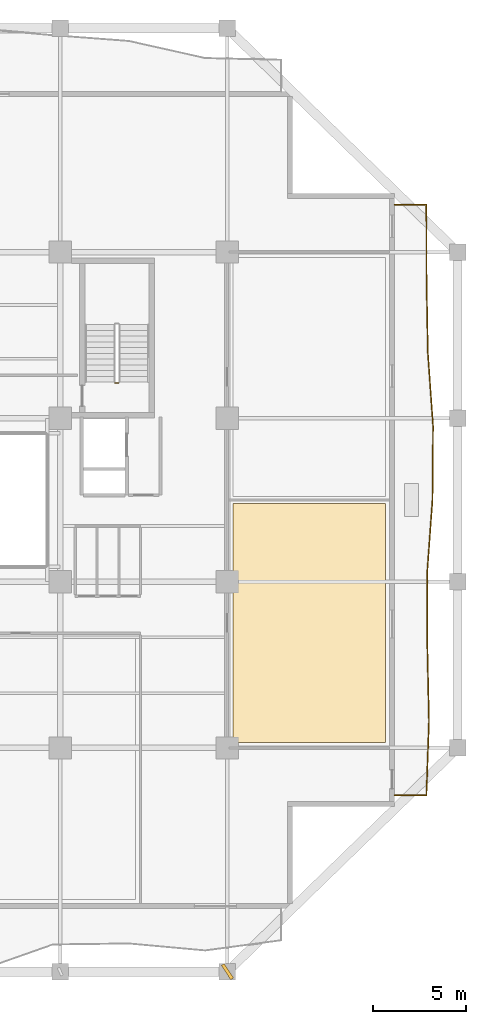
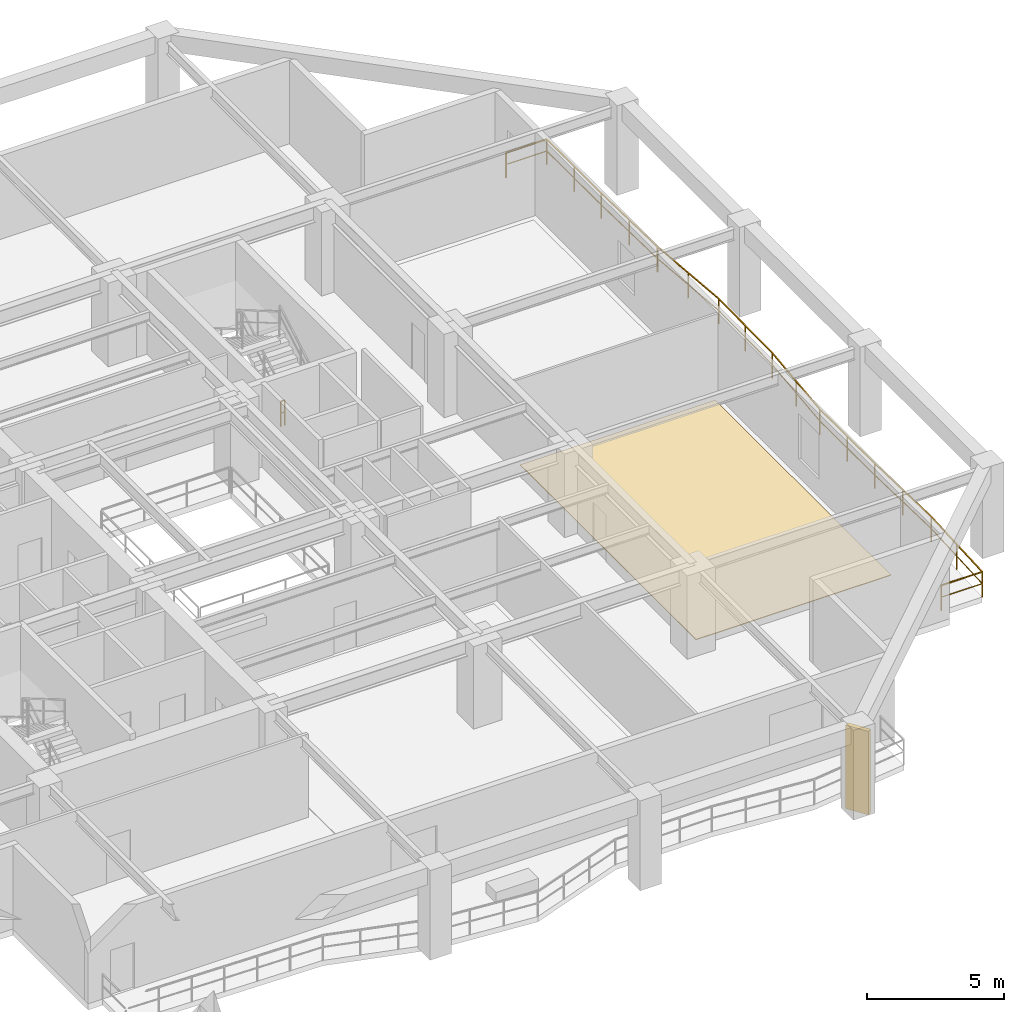
# One storey, part 9 of 13: 2 railings, 1 covering, 1 shading device.
"""IFC4 building model written with IfcOpenShell, lengths in metres."""

from ifc_helpers import new_model, si_unit, direction, frame, origin, origin_2d, place, context, subcontext, project, spatial, polyline, rectangle, outline, extrude, material, layer, layer_set, type_object, element, save


model = new_model("IFC4")

# Units and contexts
model_context = context("Model", 3, precision=1e-05, world=origin(), true_north=direction((0.0, 1.0)))
body_context = subcontext(model_context, "Body", "Model", "MODEL_VIEW")
ifc_project = project(units=[si_unit("LENGTHUNIT", "METRE"), si_unit("AREAUNIT", "SQUARE_METRE"), si_unit("VOLUMEUNIT", "CUBIC_METRE"), si_unit("PLANEANGLEUNIT", "RADIAN"), si_unit("MASSUNIT", "GRAM", prefix="KILO")], contexts=[model_context])

# Site, building, storey
site_placement = place(None, origin())
site = spatial("IfcSite", under=ifc_project, at=site_placement, CompositionType="ELEMENT")
building_placement = place(site_placement, origin())
building = spatial("IfcBuilding", under=site, at=building_placement, Name="Kundavana Baori Tower", CompositionType="ELEMENT")
storey_placement = place(building_placement, frame((0.0, 0.0, 34.0)))
storey = spatial("IfcBuildingStorey", under=building, at=storey_placement, Name="L07", CompositionType="ELEMENT", Elevation=34.0)

# Covering
ifc_material_1 = material(Name="Honed Kota Stone and Terrazzo Flooring", Category="masonry")
ifc_layer = layer(ifc_material_1, 0.030029296875, Name="COV-INT-FLR")
ifc_layer_set = layer_set([ifc_layer], Name="Honed Kota Stone and Terrazzo Flooring")
covering_type = type_object("IfcCoveringType", Name="COV-INT-FLR", PredefinedType="FLOORING", material=ifc_layer_set)
covering_placement = place(storey_placement, origin())
element("IfcCovering", 1, at=covering_placement, inside=storey, type_object=covering_type, Name="L07 Room Finished Stone Flooring 3", PredefinedType="FLOORING", context=body_context, shape_type="SweptSolid", body=[
    extrude(outline(polyline([(43.10009765625, 15.550048828125), (51.320068359375, 15.550048828125), (51.320068359375, 28.39990234375), (43.10009765625, 28.39990234375), (43.10009765625, 15.550048828125)])), origin(), (0.0, 0.0, 1.0), 0.030029296875),
])

# Railings
ifc_material_2 = material(Name="Architectural Patinated Bronze Metalwork")
railing_type_1 = type_object("IfcRailingType", Name="RL-BAL-1150", PredefinedType="BALUSTRADE", material=ifc_material_2)
railing_1_placement = place(storey_placement, frame((51.800048828125, 44.5, 0.0)))
element("IfcRailing", 2, at=railing_1_placement, inside=storey, type_object=railing_type_1, Name="L07 Loggia Balcony Balustrade E", PredefinedType="BALUSTRADE", context=body_context, shape_type="SweptSolid", body=[
    extrude(rectangle(XDim=0.048095703125, YDim=0.048095703125, at=origin_2d()), frame((0.0, 0.0, 1.1259765625), z_axis=(1.0, 0.0, 0.0), x_axis=(0.0, 1.0, 0.0)), (0.0, 0.0, 1.0), 1.719970703125),
    extrude(rectangle(XDim=0.03125, YDim=0.03125, at=origin_2d()), frame((0.0, 0.0, 0.597900390625), z_axis=(1.0, 0.0, 0.0), x_axis=(0.0, 1.0, 0.0)), (0.0, 0.0, 1.0), 1.719970703125),
    extrude(rectangle(XDim=0.048095703125, YDim=0.048095703125, at=origin_2d()), frame((1.719970703125, 0.0, 1.1259765625), z_axis=(0.002026773874, -0.999997946092, 0.0), x_axis=(0.999997946092, 0.002026773874, 0.0)), (0.0, 0.0, 1.0), 3.97509765625),
    extrude(rectangle(XDim=0.03125, YDim=0.03125, at=origin_2d()), frame((1.719970703125, 0.0, 0.597900390625), z_axis=(0.002026773874, -0.999997946092, 0.0), x_axis=(0.999997946092, 0.002026773874, 0.0)), (0.0, 0.0, 1.0), 3.97509765625),
    extrude(rectangle(XDim=0.048095703125, YDim=0.048095703125, at=origin_2d()), frame((1.72802734375, -3.97509765625, 1.1259765625), z_axis=(0.017563778825, -0.999845744939, 0.0), x_axis=(0.999845744939, 0.017563778825, 0.0)), (0.0, 0.0, 1.0), 3.9755859375),
    extrude(rectangle(XDim=0.03125, YDim=0.03125, at=origin_2d()), frame((1.72802734375, -3.97509765625, 0.597900390625), z_axis=(0.017563778825, -0.999845744939, 0.0), x_axis=(0.999845744939, 0.017563778825, 0.0)), (0.0, 0.0, 1.0), 3.9755859375),
    extrude(rectangle(XDim=0.048095703125, YDim=0.048095703125, at=origin_2d()), frame((1.7978515625, -7.949951171875, 1.1259765625), z_axis=(0.070759420793, -0.99749341069, 0.0), x_axis=(0.99749341069, 0.070759420793, 0.0)), (0.0, 0.0, 1.0), 3.985107421875),
    extrude(rectangle(XDim=0.03125, YDim=0.03125, at=origin_2d()), frame((1.7978515625, -7.949951171875, 0.597900390625), z_axis=(0.070759420793, -0.99749341069, 0.0), x_axis=(0.99749341069, 0.070759420793, 0.0)), (0.0, 0.0, 1.0), 3.985107421875),
    extrude(rectangle(XDim=0.048095703125, YDim=0.048095703125, at=origin_2d()), frame((2.079833984375, -11.925048828125, 1.1259765625), z_axis=(-0.008045928362, -0.999967630995, 0.0), x_axis=(0.999967630995, -0.008045928362, 0.0)), (0.0, 0.0, 1.0), 3.97509765625),
    extrude(rectangle(XDim=0.03125, YDim=0.03125, at=origin_2d()), frame((2.079833984375, -11.925048828125, 0.597900390625), z_axis=(-0.008045928362, -0.999967630995, 0.0), x_axis=(0.999967630995, -0.008045928362, 0.0)), (0.0, 0.0, 1.0), 3.97509765625),
    extrude(rectangle(XDim=0.048095703125, YDim=0.048095703125, at=origin_2d()), frame((2.0478515625, -15.89990234375, 1.1259765625), z_axis=(-0.072465898762, -0.99737089065, 0.0), x_axis=(0.99737089065, -0.072465898762, 0.0)), (0.0, 0.0, 1.0), 3.985595703125),
    extrude(rectangle(XDim=0.03125, YDim=0.03125, at=origin_2d()), frame((2.0478515625, -15.89990234375, 0.597900390625), z_axis=(-0.072465898762, -0.99737089065, 0.0), x_axis=(0.99737089065, -0.072465898762, 0.0)), (0.0, 0.0, 1.0), 3.985595703125),
    extrude(rectangle(XDim=0.048095703125, YDim=0.048095703125, at=origin_2d()), frame((1.759033203125, -19.875, 1.1259765625), z_axis=(0.0037464422, -0.999992982061, 0.0), x_axis=(0.999992982061, 0.0037464422, 0.0)), (0.0, 0.0, 1.0), 3.97509765625),
    extrude(rectangle(XDim=0.03125, YDim=0.03125, at=origin_2d()), frame((1.759033203125, -19.875, 0.597900390625), z_axis=(0.0037464422, -0.999992982061, 0.0), x_axis=(0.999992982061, 0.0037464422, 0.0)), (0.0, 0.0, 1.0), 3.97509765625),
    extrude(rectangle(XDim=0.048095703125, YDim=0.048095703125, at=origin_2d()), frame((1.77392578125, -23.85009765625, 1.1259765625), z_axis=(0.021615242301, -0.999766363357, 0.0), x_axis=(0.999766363357, 0.021615242301, 0.0)), (0.0, 0.0, 1.0), 3.975830078125),
    extrude(rectangle(XDim=0.03125, YDim=0.03125, at=origin_2d()), frame((1.77392578125, -23.85009765625, 0.597900390625), z_axis=(0.021615242301, -0.999766363357, 0.0), x_axis=(0.999766363357, 0.021615242301, 0.0)), (0.0, 0.0, 1.0), 3.975830078125),
    extrude(rectangle(XDim=0.048095703125, YDim=0.048095703125, at=origin_2d()), frame((1.85986328125, -27.824951171875, 1.1259765625), z_axis=(-0.035170464369, -0.99938132784, 0.0), x_axis=(0.99938132784, -0.035170464369, 0.0)), (0.0, 0.0, 1.0), 3.9775390625),
    extrude(rectangle(XDim=0.03125, YDim=0.03125, at=origin_2d()), frame((1.85986328125, -27.824951171875, 0.597900390625), z_axis=(-0.035170464369, -0.99938132784, 0.0), x_axis=(0.99938132784, -0.035170464369, 0.0)), (0.0, 0.0, 1.0), 3.9775390625),
    extrude(rectangle(XDim=0.048095703125, YDim=0.048095703125, at=origin_2d()), frame((1.719970703125, -31.800048828125, 1.1259765625), z_axis=(-1.0, 0.0, 0.0), x_axis=(0.0, -1.0, 0.0)), (0.0, 0.0, 1.0), 1.719970703125),
    extrude(rectangle(XDim=0.03125, YDim=0.03125, at=origin_2d()), frame((1.719970703125, -31.800048828125, 0.597900390625), z_axis=(-1.0, 0.0, 0.0), x_axis=(0.0, -1.0, 0.0)), (0.0, 0.0, 1.0), 1.719970703125),
    extrude(rectangle(XDim=0.0419921875, YDim=0.0419921875, at=origin_2d()), origin(), (0.0, 0.0, 1.0), 1.101806640625),
    extrude(rectangle(XDim=0.0419921875, YDim=0.0419921875, at=origin_2d()), frame((1.719970703125, 0.0, 0.0)), (0.0, 0.0, 1.0), 1.101806640625),
    extrude(rectangle(XDim=0.0419921875, YDim=0.0419921875, at=origin_2d()), frame((1.72412109375, -1.987548828125, 0.0)), (0.0, 0.0, 1.0), 1.101806640625),
    extrude(rectangle(XDim=0.0419921875, YDim=0.0419921875, at=origin_2d()), frame((1.72802734375, -3.97509765625, 0.0)), (0.0, 0.0, 1.0), 1.101806640625),
    extrude(rectangle(XDim=0.0419921875, YDim=0.0419921875, at=origin_2d()), frame((1.762939453125, -5.96240234375, 0.0)), (0.0, 0.0, 1.0), 1.101806640625),
    extrude(rectangle(XDim=0.0419921875, YDim=0.0419921875, at=origin_2d()), frame((1.7978515625, -7.949951171875, 0.0)), (0.0, 0.0, 1.0), 1.101806640625),
    extrude(rectangle(XDim=0.0419921875, YDim=0.0419921875, at=origin_2d()), frame((1.93896484375, -9.9375, 0.0)), (0.0, 0.0, 1.0), 1.101806640625),
    extrude(rectangle(XDim=0.0419921875, YDim=0.0419921875, at=origin_2d()), frame((2.079833984375, -11.925048828125, 0.0)), (0.0, 0.0, 1.0), 1.101806640625),
    extrude(rectangle(XDim=0.0419921875, YDim=0.0419921875, at=origin_2d()), frame((2.06396484375, -13.91259765625, 0.0)), (0.0, 0.0, 1.0), 1.101806640625),
    extrude(rectangle(XDim=0.0419921875, YDim=0.0419921875, at=origin_2d()), frame((2.0478515625, -15.89990234375, 0.0)), (0.0, 0.0, 1.0), 1.101806640625),
    extrude(rectangle(XDim=0.0419921875, YDim=0.0419921875, at=origin_2d()), frame((1.9033203125, -17.887451171875, 0.0)), (0.0, 0.0, 1.0), 1.101806640625),
    extrude(rectangle(XDim=0.0419921875, YDim=0.0419921875, at=origin_2d()), frame((1.759033203125, -19.875, 0.0)), (0.0, 0.0, 1.0), 1.101806640625),
    extrude(rectangle(XDim=0.0419921875, YDim=0.0419921875, at=origin_2d()), frame((1.7666015625, -21.862548828125, 0.0)), (0.0, 0.0, 1.0), 1.101806640625),
    extrude(rectangle(XDim=0.0419921875, YDim=0.0419921875, at=origin_2d()), frame((1.77392578125, -23.85009765625, 0.0)), (0.0, 0.0, 1.0), 1.101806640625),
    extrude(rectangle(XDim=0.0419921875, YDim=0.0419921875, at=origin_2d()), frame((1.81689453125, -25.83740234375, 0.0)), (0.0, 0.0, 1.0), 1.101806640625),
    extrude(rectangle(XDim=0.0419921875, YDim=0.0419921875, at=origin_2d()), frame((1.85986328125, -27.824951171875, 0.0)), (0.0, 0.0, 1.0), 1.101806640625),
    extrude(rectangle(XDim=0.0419921875, YDim=0.0419921875, at=origin_2d()), frame((1.7900390625, -29.8125, 0.0)), (0.0, 0.0, 1.0), 1.101806640625),
    extrude(rectangle(XDim=0.0419921875, YDim=0.0419921875, at=origin_2d()), frame((1.719970703125, -31.800048828125, 0.0)), (0.0, 0.0, 1.0), 1.101806640625),
    extrude(rectangle(XDim=0.0419921875, YDim=0.0419921875, at=origin_2d()), frame((0.0, -31.800048828125, 0.0)), (0.0, 0.0, 1.0), 1.101806640625),
])
ifc_material_3 = material(Name="Architectural Patinated Bronze Metalwork")
railing_type_2 = type_object("IfcRailingType", Name="RL-GRD-1150", PredefinedType="GUARDRAIL", material=ifc_material_3)
railing_2_placement = place(storey_placement, frame((36.929931640625, 34.89990234375, 0.0)))
element("IfcRailing", 3, at=railing_2_placement, inside=storey, type_object=railing_type_2, Name="L07 ST3 stair guard 4", PredefinedType="GUARDRAIL", context=body_context, shape_type="SweptSolid", body=[
    extrude(rectangle(XDim=0.048095703125, YDim=0.048095703125, at=origin_2d()), frame((0.0, 0.0, 1.1259765625), z_axis=(-1.0, 0.0, 0.0), x_axis=(0.0, -1.0, 0.0)), (0.0, 0.0, 1.0), 0.159912109375),
    extrude(rectangle(XDim=0.03125, YDim=0.03125, at=origin_2d()), frame((0.0, 0.0, 0.597900390625), z_axis=(-1.0, 0.0, 0.0), x_axis=(0.0, -1.0, 0.0)), (0.0, 0.0, 1.0), 0.159912109375),
    extrude(rectangle(XDim=0.0419921875, YDim=0.0419921875, at=origin_2d()), origin(), (0.0, 0.0, 1.0), 1.101806640625),
    extrude(rectangle(XDim=0.0419921875, YDim=0.0419921875, at=origin_2d()), frame((-0.159912109375, 0.0, 0.0)), (0.0, 0.0, 1.0), 1.101806640625),
])

# Shading device
ifc_material_4 = material(Name="Red-Buff Dholpur Sandstone Cladding on Concrete C40/50", Category="masonry")
shading_device_type = type_object("IfcShadingDeviceType", Name="SHD-FIN-920", PredefinedType="JALOUSIE", material=ifc_material_4)
shading_device_placement = place(storey_placement, frame((42.800048828125, 3.199951171875, 0.0), z_axis=(0.0, 0.0, 1.0), x_axis=(0.832341273841, 0.554263478737, 0.0)))
element("IfcShadingDevice", 4, at=shading_device_placement, inside=storey, type_object=shading_device_type, Name="L07 Sweeping Dholpur Sandstone Facade Fin 4", PredefinedType="JALOUSIE", context=body_context, shape_type="SweptSolid", body=[
    extrude(rectangle(XDim=0.179931640625, YDim=0.919921875, at=origin_2d()), origin(), (0.0, 0.0, 1.0), 3.719970703125),
])

save(model, "model.ifc")
